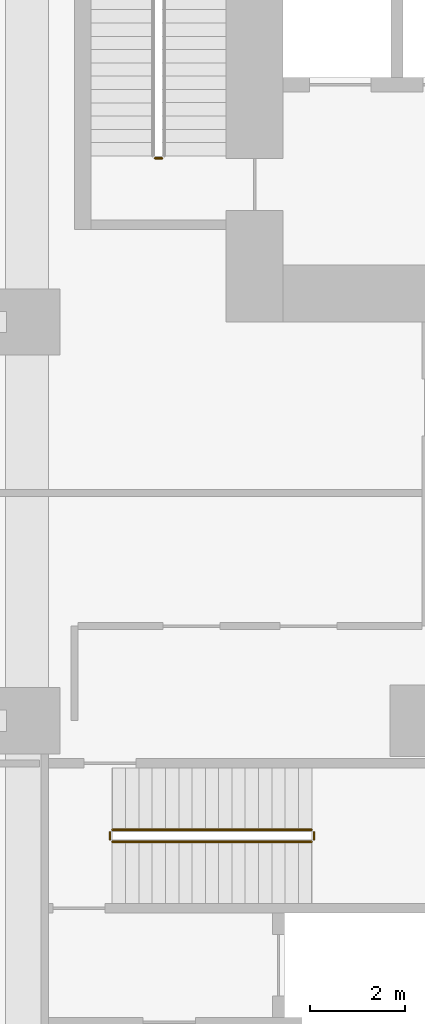
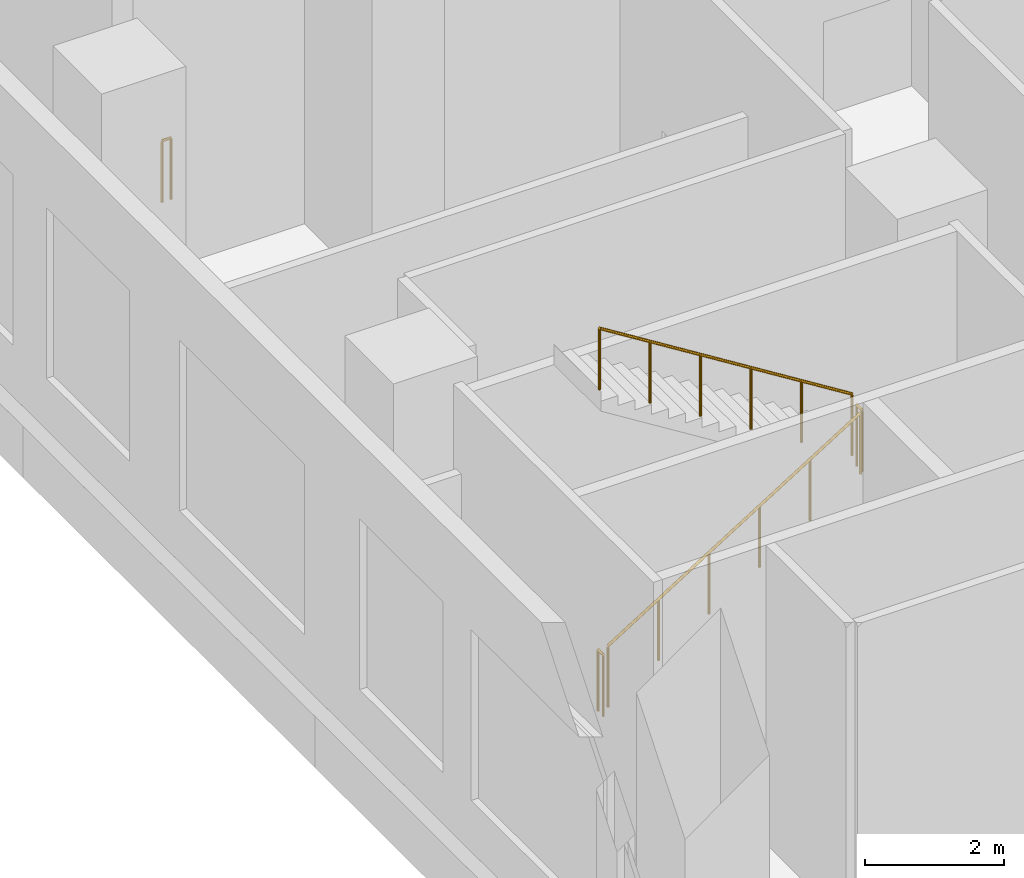
# One storey, part 15 of 19: 5 railings.
"""IFC4 building model written with IfcOpenShell, lengths in metres."""

import ifcopenshell
import ifcopenshell.guid

model = None  # the IFC model being written
_history = None  # IfcOwnerHistory: only IFC2X3 demands one
_inside = {}  # id of a spatial element -> (the spatial element, [elements in it])
_under = {}  # id of a project, library or spatial element -> (it, [spatial elements below it])
_declared = {}  # id of a project -> (the project, [libraries it declares])
_typed = {}  # id of a type object -> (the type object, [elements of that type])
_made_of = {}  # id of a material, layer set ... -> (it, [elements and type objects made of it])


def new_model(schema):
    """Start an empty IFC model of exactly this schema.

    Asked for "IFC4X3", IfcOpenShell would pick the latest addendum, in which some entities
    have other attributes; the version numbers below select the first issue.
    IFC2X3 requires an IfcOwnerHistory on every rooted entity: one is made here for all.
    """
    global model, _history
    if schema == "IFC4X3":
        model = ifcopenshell.file(schema_version=(4, 3, 0, 0))
    else:
        model = ifcopenshell.file(schema=schema)
    _inside.clear()
    _under.clear()
    _declared.clear()
    _typed.clear()
    _made_of.clear()
    _history = None
    if model.schema == "IFC2X3":
        org = make("IfcOrganization", Name="unknown")
        user = make(
            "IfcPersonAndOrganization",
            ThePerson=make("IfcPerson", FamilyName="unknown"),
            TheOrganization=org,
        )
        app = make(
            "IfcApplication",
            ApplicationDeveloper=org,
            Version="unknown",
            ApplicationFullName="unknown",
            ApplicationIdentifier="unknown",
        )
        _history = make(
            "IfcOwnerHistory",
            OwningUser=user,
            OwningApplication=app,
            ChangeAction="ADDED",
            CreationDate=0,
        )
    return model


def make(cls, **values):
    """One entity of the class cls with the attributes given. An attribute that is None is left unset."""
    return model.create_entity(
        cls, **{name: value for name, value in values.items() if value is not None}
    )


def rooted(cls, **values):
    """An entity with a GlobalId (a new one), such as an element, a storey or a relation."""
    return make(cls, GlobalId=ifcopenshell.guid.new(), OwnerHistory=_history, **values)


def si_unit(unit_type, name, prefix=None):
    """IfcSIUnit, for example si_unit("LENGTHUNIT", "METRE", prefix="MILLI")."""
    return make("IfcSIUnit", UnitType=unit_type, Prefix=prefix, Name=name)


def assignment(units):
    """IfcUnitAssignment: the units of a project."""
    return None if units is None else make("IfcUnitAssignment", Units=units)


def point(xyz):
    """IfcCartesianPoint."""
    return None if xyz is None else make("IfcCartesianPoint", Coordinates=xyz)


def direction(xyz):
    """IfcDirection."""
    return None if xyz is None else make("IfcDirection", DirectionRatios=xyz)


def frame(location, z_axis=None, x_axis=None):
    """IfcAxis2Placement3D, a coordinate frame: its origin and axes. An axis left out is left unset."""
    return make(
        "IfcAxis2Placement3D",
        Location=point(location),
        Axis=direction(z_axis),
        RefDirection=direction(x_axis),
    )


def frame_2d(location, x_axis=None):
    """IfcAxis2Placement2D, a coordinate frame in the plane: its origin and x axis."""
    return make(
        "IfcAxis2Placement2D", Location=point(location), RefDirection=direction(x_axis)
    )


def origin():
    """The frame at (0, 0, 0) with its axes left unset."""
    return frame((0.0, 0.0, 0.0))


def origin_2d():
    """The frame at (0, 0) in the plane with its x axis left unset."""
    return frame_2d((0.0, 0.0))


def place(relative_to, where):
    """IfcLocalPlacement: puts the frame where relative to a parent placement (None: the world)."""
    return make(
        "IfcLocalPlacement", PlacementRelTo=relative_to, RelativePlacement=where
    )


def context(
    kind, dimensions, precision=None, world=None, true_north=None, identifier=None
):
    """IfcGeometricRepresentationContext, for example the 3D "Model" context."""
    return make(
        "IfcGeometricRepresentationContext",
        ContextIdentifier=identifier,
        ContextType=kind,
        CoordinateSpaceDimension=dimensions,
        Precision=precision,
        WorldCoordinateSystem=world,
        TrueNorth=true_north,
    )


def subcontext(parent, identifier, kind, view, scale=None):
    """IfcGeometricRepresentationSubContext, for example "Body" below "Model"."""
    return make(
        "IfcGeometricRepresentationSubContext",
        ContextIdentifier=identifier,
        ContextType=kind,
        ParentContext=parent,
        TargetScale=scale,
        TargetView=view,
    )


def project(units=None, contexts=None):
    """IfcProject with its units and contexts."""
    return rooted(
        "IfcProject",
        Name="project",
        RepresentationContexts=contexts,
        UnitsInContext=assignment(units),
    )


def spatial(cls, under=None, at=None, **own):
    """A site, building, storey or space (cls), placed at a placement, below another one or the project."""
    s = rooted(cls, ObjectPlacement=at, **own)
    if under is not None:
        _under.setdefault(under.id(), (under, []))[1].append(s)
    return s


def profile(cls, at=None, kind="AREA", **sizes):
    """A parametric profile (cls). Its sizes go by their IFC names, for example OverallWidth=200.0."""
    return make(cls, ProfileType=kind, Position=at, **sizes)


def circle(**sizes):
    """IfcCircleProfileDef."""
    return profile("IfcCircleProfileDef", **sizes)


def extrude(swept, where, along, depth):
    """IfcExtrudedAreaSolid: the profile swept, set in the frame where, extruded along a direction by depth."""
    return make(
        "IfcExtrudedAreaSolid",
        SweptArea=swept,
        Position=where,
        ExtrudedDirection=direction(along),
        Depth=depth,
    )


def shape(context_of_items, identifier, shape_type, items):
    """IfcShapeRepresentation: the items that make up one representation, for example the "Body"."""
    return make(
        "IfcShapeRepresentation",
        ContextOfItems=context_of_items,
        RepresentationIdentifier=identifier,
        RepresentationType=shape_type,
        Items=items,
    )


def material(Name=None, Category=None):
    """IfcMaterial."""
    return make("IfcMaterial", Name=Name, Category=Category)


def made_of(thing, what):
    """Note that an element or type object is made of a material, layer set ...; save() writes the relation."""
    if what is not None:
        _made_of.setdefault(what.id(), (what, []))[1].append(thing)
    return thing


def type_object(cls, material=None, **own):
    """A type object (cls), such as IfcWallType, which elements share."""
    return made_of(rooted(cls, **own), material)


def element(
    cls,
    number,
    at=None,
    inside=None,
    cuts=None,
    type_object=None,
    material=None,
    context=None,
    identifier="Body",
    shape_type=None,
    held_by="IfcProductDefinitionShape",
    body=None,
    shapes=None,
    **own,
):
    """One element of the class cls, such as IfcWall. Its Tag is "e" and its number.

    at: its placement. inside: the storey or other place that contains it. cuts: it is an
    opening in that element (IfcRelVoidsElement). A single representation is given by context,
    identifier, shape_type and body (its items); several are given by shapes. held_by: the class
    of the entity that holds the representations. save() writes the other relations.
    """
    e = rooted(cls, Tag="e%d" % number, ObjectPlacement=at, **own)
    if body is not None:
        shapes = [shape(context, identifier, shape_type, body)]
    if shapes is not None:
        e.Representation = make(held_by, Representations=shapes)
    if inside is not None:
        _inside.setdefault(inside.id(), (inside, []))[1].append(e)
    if cuts is not None:
        rooted(
            "IfcRelVoidsElement", RelatingBuildingElement=cuts, RelatedOpeningElement=e
        )
    if type_object is not None:
        _typed.setdefault(type_object.id(), (type_object, []))[1].append(e)
    return made_of(e, material)


def aggregate(whole, parts):
    """IfcRelAggregates: a whole, such as a stair, and the parts it consists of."""
    return rooted("IfcRelAggregates", RelatingObject=whole, RelatedObjects=parts)


def save(model, path):
    """Write the relations noted so far, then the file.

    IfcRelAggregates (storeys below a building ...), IfcRelContainedInSpatialStructure (elements
    in a storey), IfcRelDefinesByType, IfcRelAssociatesMaterial and IfcRelDeclares: one each for
    every whole, place, type object, material and project.
    """
    for whole, parts in _under.values():
        aggregate(whole, parts)
    for where, things in _inside.values():
        rooted(
            "IfcRelContainedInSpatialStructure",
            RelatedElements=things,
            RelatingStructure=where,
        )
    for kind, things in _typed.values():
        rooted("IfcRelDefinesByType", RelatedObjects=things, RelatingType=kind)
    for what, things in _made_of.values():
        rooted("IfcRelAssociatesMaterial", RelatedObjects=things, RelatingMaterial=what)
    for by, libraries in _declared.values():
        rooted("IfcRelDeclares", RelatingContext=by, RelatedDefinitions=libraries)
    model.write(path)


model = new_model("IFC4")

# Units and contexts
model_context = context("Model", 3, precision=1e-05, world=origin(), true_north=direction((0.0, 1.0)))
body_context = subcontext(model_context, "Body", "Model", "MODEL_VIEW")
ifc_project = project(units=[si_unit("LENGTHUNIT", "METRE"), si_unit("AREAUNIT", "SQUARE_METRE"), si_unit("VOLUMEUNIT", "CUBIC_METRE"), si_unit("PLANEANGLEUNIT", "RADIAN"), si_unit("MASSUNIT", "GRAM", prefix="KILO")], contexts=[model_context])

# Site, building, storey
site_placement = place(None, origin())
site = spatial("IfcSite", under=ifc_project, at=site_placement, CompositionType="ELEMENT")
building_placement = place(site_placement, origin())
building = spatial("IfcBuilding", under=site, at=building_placement, Name="Kawkab Arch Medical Tower", CompositionType="ELEMENT")
storey_placement = place(building_placement, frame((0.0, 0.0, 12.60009765625)))
storey = spatial("IfcBuildingStorey", under=building, at=storey_placement, Name="L03", CompositionType="ELEMENT", Elevation=12.60009765625)

# Railings
ifc_material = material(Name="Stainless steel", Category="steel")
railing_type = type_object("IfcRailingType", Name="Stair guard 1100", PredefinedType="GUARDRAIL", material=ifc_material)
railing_1_placement = place(storey_placement, frame((2.85009765625, -21.75, 0.0)))
element("IfcRailing", 1, at=railing_1_placement, inside=storey, type_object=railing_type, Name="L03 ST2 stair guard 4", PredefinedType="GUARDRAIL", context=body_context, shape_type="SweptSolid", body=[
    extrude(circle(Radius=0.02392578125, at=origin_2d()), frame((0.0, 0.0, 1.076171875), z_axis=(-1.0, 0.0, 0.0), x_axis=(0.0, -1.0, 0.0)), (0.0, 0.0, 1.0), 0.150146484375),
    extrude(circle(Radius=0.02099609375, at=origin_2d()), origin(), (0.0, 0.0, 1.0), 1.052001953125),
    extrude(circle(Radius=0.02099609375, at=origin_2d()), frame((-0.150146484375, 0.0, 0.0)), (0.0, 0.0, 1.0), 1.052001953125),
])
railing_2_placement = place(storey_placement, frame((1.800048828125, -36.14990234375, 0.1748046875)))
element("IfcRailing", 2, at=railing_2_placement, inside=storey, type_object=railing_type, Name="L03 ST6 stair guard 1", PredefinedType="GUARDRAIL", context=body_context, shape_type="SweptSolid", body=[
    extrude(circle(Radius=0.02392578125, at=origin_2d()), frame((0.0, 0.0, 1.076171875), z_axis=(0.847995534698, 0.0, 0.530003370869), x_axis=(0.0, 1.0, 0.0)), (0.0, 0.0, 1.0), 4.952880859375),
    extrude(circle(Radius=0.02099609375, at=origin_2d()), origin(), (0.0, 0.0, 1.0), 1.052001953125),
    extrude(circle(Radius=0.02099609375, at=origin_2d()), frame((0.840087890625, 0.0, 0.52490234375)), (0.0, 0.0, 1.0), 1.052001953125),
    extrude(circle(Radius=0.02099609375, at=origin_2d()), frame((1.679931640625, 0.0, 1.050048828125)), (0.0, 0.0, 1.0), 1.052001953125),
    extrude(circle(Radius=0.02099609375, at=origin_2d()), frame((2.52001953125, 0.0, 1.574951171875)), (0.0, 0.0, 1.0), 1.052001953125),
    extrude(circle(Radius=0.02099609375, at=origin_2d()), frame((3.35986328125, 0.0, 2.10009765625)), (0.0, 0.0, 1.0), 1.052001953125),
    extrude(circle(Radius=0.02099609375, at=origin_2d()), frame((4.199951171875, 0.0, 2.625)), (0.0, 0.0, 1.0), 1.052001953125),
])
railing_3_placement = place(storey_placement, frame((6.050048828125, -36.10009765625, 2.7998046875)))
element("IfcRailing", 3, at=railing_3_placement, inside=storey, type_object=railing_type, Name="L03 ST6 stair guard 2", PredefinedType="GUARDRAIL", context=body_context, shape_type="SweptSolid", body=[
    extrude(circle(Radius=0.02392578125, at=origin_2d()), frame((0.0, 0.0, 1.076171875), z_axis=(0.0, 1.0, 0.0), x_axis=(-1.0, 0.0, 0.0)), (0.0, 0.0, 1.0), 0.150146484375),
    extrude(circle(Radius=0.02099609375, at=origin_2d()), origin(), (0.0, 0.0, 1.0), 1.052001953125),
    extrude(circle(Radius=0.02099609375, at=origin_2d()), frame((0.0, 0.150146484375, 0.0)), (0.0, 0.0, 1.0), 1.052001953125),
])
railing_4_placement = place(storey_placement, frame((6.0, -35.89990234375, 2.974853515625)))
element("IfcRailing", 4, at=railing_4_placement, inside=storey, type_object=railing_type, Name="L03 ST6 stair guard 3", PredefinedType="GUARDRAIL", context=body_context, shape_type="SweptSolid", body=[
    extrude(circle(Radius=0.02392578125, at=origin_2d()), frame((0.0, 0.0, 1.076171875), z_axis=(-0.847995534698, 0.0, 0.530003370869), x_axis=(0.0, -1.0, 0.0)), (0.0, 0.0, 1.0), 4.952880859375),
    extrude(circle(Radius=0.02099609375, at=origin_2d()), origin(), (0.0, 0.0, 1.0), 1.052001953125),
    extrude(circle(Radius=0.02099609375, at=origin_2d()), frame((-0.840087890625, 0.0, 0.52490234375)), (0.0, 0.0, 1.0), 1.052001953125),
    extrude(circle(Radius=0.02099609375, at=origin_2d()), frame((-1.679931640625, 0.0, 1.050048828125)), (0.0, 0.0, 1.0), 1.052001953125),
    extrude(circle(Radius=0.02099609375, at=origin_2d()), frame((-2.52001953125, 0.0, 1.574951171875)), (0.0, 0.0, 1.0), 1.052001953125),
    extrude(circle(Radius=0.02099609375, at=origin_2d()), frame((-3.35986328125, 0.0, 2.10009765625)), (0.0, 0.0, 1.0), 1.052001953125),
    extrude(circle(Radius=0.02099609375, at=origin_2d()), frame((-4.199951171875, 0.0, 2.625)), (0.0, 0.0, 1.0), 1.052001953125),
])
railing_5_placement = place(storey_placement, frame((1.75, -36.10009765625, 0.0)))
element("IfcRailing", 5, at=railing_5_placement, inside=storey, type_object=railing_type, Name="L03 ST6 stair guard 4", PredefinedType="GUARDRAIL", context=body_context, shape_type="SweptSolid", body=[
    extrude(circle(Radius=0.02392578125, at=origin_2d()), frame((0.0, 0.0, 1.076171875), z_axis=(0.0, 1.0, 0.0), x_axis=(-1.0, 0.0, 0.0)), (0.0, 0.0, 1.0), 0.150146484375),
    extrude(circle(Radius=0.02099609375, at=origin_2d()), origin(), (0.0, 0.0, 1.0), 1.052001953125),
    extrude(circle(Radius=0.02099609375, at=origin_2d()), frame((0.0, 0.150146484375, 0.0)), (0.0, 0.0, 1.0), 1.052001953125),
])

save(model, "model.ifc")
